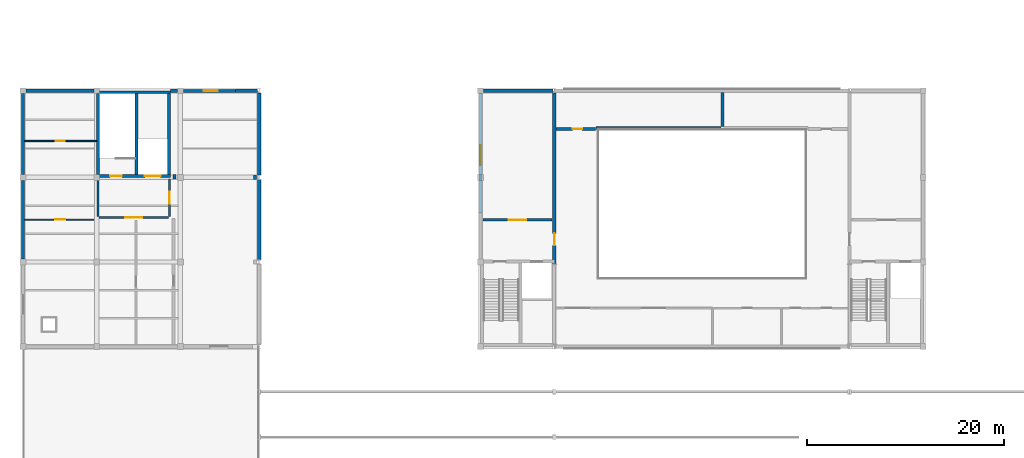
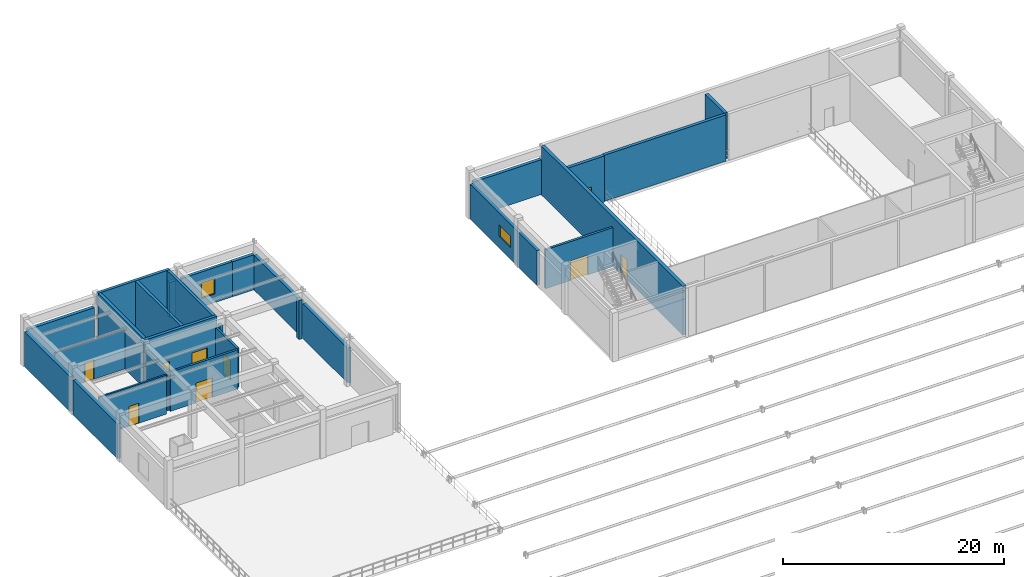
# One storey, part 33 of 38: 27 walls, 9 doors, 2 windows, 11 openings.
"""IFC4 building model written with IfcOpenShell, lengths in metres."""

from ifc_helpers import new_model, si_unit, direction, frame, frame_2d, origin, place, context, subcontext, project, spatial, rectangle, extrude, material, layer, layer_set, type_object, element, fill, save


model = new_model("IFC4")

# Units and contexts
model_context = context("Model", 3, precision=1e-05, world=origin(), true_north=direction((0.0, 1.0)))
body_context = subcontext(model_context, "Body", "Model", "MODEL_VIEW")
ifc_project = project(units=[si_unit("LENGTHUNIT", "METRE"), si_unit("AREAUNIT", "SQUARE_METRE"), si_unit("VOLUMEUNIT", "CUBIC_METRE"), si_unit("PLANEANGLEUNIT", "RADIAN"), si_unit("MASSUNIT", "GRAM", prefix="KILO")], contexts=[model_context])

# Site, building, storey
site_placement = place(None, origin())
site = spatial("IfcSite", under=ifc_project, at=site_placement, CompositionType="ELEMENT")
building_placement = place(site_placement, origin())
building = spatial("IfcBuilding", under=site, at=building_placement, Name="Muzn Square Opera House", CompositionType="ELEMENT")
storey_placement = place(building_placement, frame((0.0, 0.0, 18.0)))
storey = spatial("IfcBuildingStorey", under=building, at=storey_placement, Name="L04", CompositionType="ELEMENT", Elevation=18.0)

# Wall
ifc_material_1 = material(Name="Acoustic gypsum stud partition", Category="gypsum")
ifc_layer_1 = layer(ifc_material_1, 0.320068359375, Name="Acoustic gypsum stud partition", Category="gypsum")
ifc_layer_set_1 = layer_set([ifc_layer_1], Name="Acoustic gypsum stud partition")
wall_type_1 = type_object("IfcWallType", Name="Acoustic Studio Double Wall 320mm", PredefinedType="PARTITIONING", material=ifc_layer_set_1)
wall_1_placement = place(storey_placement, frame((90.10009765625, 94.945068359375, 0.0), z_axis=(0.0, 0.0, 1.0), x_axis=(0.0, 1.0, 0.0)))
element("IfcWall", 1, at=wall_1_placement, inside=storey, type_object=wall_type_1, Name="Interior Partition PW-L04-0391", PredefinedType="PARTITIONING", context=body_context, shape_type="SweptSolid", body=[
    extrude(rectangle(XDim=3.474853515625, YDim=0.320068359375, at=frame_2d((1.7373046875, 0.0))), origin(), (0.0, 0.0, 1.0), 5.10009765625),
])

# Wall, opening, door
wall_2_placement = place(storey_placement, frame((73.179931640625, 94.699951171875, 0.0), z_axis=(0.0, 0.0, 1.0), x_axis=(1.0, 0.0, 0.0)))
wall_2 = element("IfcWall", 2, at=wall_2_placement, inside=storey, type_object=wall_type_1, Name="Interior Partition PW-L04-0392", PredefinedType="PARTITIONING", context=body_context, shape_type="SweptSolid", body=[
    extrude(rectangle(XDim=4.02001953125, YDim=0.320068359375, at=frame_2d((2.010009765625, 0.0))), origin(), (0.0, 0.0, 1.0), 5.10009765625),
])
opening_1_placement = place(wall_2_placement, frame((1.679931640625, 0.0, 0.0)))
opening_1 = element("IfcOpeningElement", 3, at=opening_1_placement, cuts=wall_2, Name="Opening DR-TS98", PredefinedType="OPENING", context=body_context, shape_type="SweptSolid", body=[
    extrude(rectangle(XDim=0.97998046875, YDim=2.14990234375, at=frame_2d((0.489990234375, 1.074951171875))), frame((0.0, 0.169921875, 0.0), z_axis=(0.0, -1.0, 0.0), x_axis=(1.0, 0.0, 0.0)), (0.0, 0.0, 1.0), 0.340087890625),
])
ifc_material_2 = material(Name="Acoustic hardwood leaf", Category="wood")
door_type_1 = type_object("IfcDoorType", Name="Technical Studio Door 980x2150", OperationType="NOTDEFINED", PredefinedType="DOOR", material=ifc_material_2)
door_1_placement = place(opening_1_placement, origin())
door_1 = element("IfcDoor", 4, at=door_1_placement, inside=storey, type_object=door_type_1, Name="Sound and Broadcast Studio Door DR-L04-0114", OperationType="SINGLE_SWING_LEFT", OverallHeight=2.14990234375, OverallWidth=0.97998046875, PredefinedType="DOOR", context=body_context, shape_type="SweptSolid", body=[
    extrude(rectangle(XDim=0.97998046875, YDim=2.14990234375, at=frame_2d((0.489990234375, 1.074951171875))), frame((0.0, 0.02490234375, 0.0), z_axis=(0.0, -1.0, 0.0), x_axis=(1.0, 0.0, 0.0)), (0.0, 0.0, 1.0), 0.050048828125),
])
fill(opening_1, door_1)

# Walls
wall_3_placement = place(storey_placement, frame((34.39990234375, 89.64990234375, 0.0), z_axis=(0.0, 0.0, 1.0), x_axis=(0.0, 1.0, 0.0)))
element("IfcWall", 5, at=wall_3_placement, inside=storey, type_object=wall_type_1, Name="Room Enclosure Partition PW-L04-0409", PredefinedType="PARTITIONING", context=body_context, shape_type="SweptSolid", body=[
    extrude(rectangle(XDim=0.4501953125, YDim=0.320068359375, at=frame_2d((0.22509765625, 0.0))), origin(), (0.0, 0.0, 1.0), 4.330078125),
])
wall_4_placement = place(storey_placement, frame((42.60009765625, 89.574951171875, 0.0), z_axis=(0.0, 0.0, 1.0), x_axis=(0.0, 1.0, 0.0)))
element("IfcWall", 6, at=wall_4_placement, inside=storey, type_object=wall_type_1, Name="Room Enclosure Partition PW-L04-0411", PredefinedType="PARTITIONING", context=body_context, shape_type="SweptSolid", body=[
    extrude(rectangle(XDim=0.449951171875, YDim=0.320068359375, at=frame_2d((0.22509765625, 0.0))), origin(), (0.0, 0.0, 1.0), 4.330078125),
])
wall_5_placement = place(storey_placement, frame((77.219970703125, 94.800048828125, 0.0), z_axis=(0.0, 0.0, 1.0), x_axis=(1.0, 0.0, 0.0)))
element("IfcWall", 7, at=wall_5_placement, inside=storey, type_object=wall_type_1, Name="Room Enclosure Partition PW-L04-0405", PredefinedType="PARTITIONING", context=body_context, shape_type="SweptSolid", body=[
    extrude(rectangle(XDim=12.735107421875, YDim=0.320068359375, at=frame_2d((6.36767578125, 0.0))), origin(), (0.0, 0.0, 1.0), 5.10009765625),
])
ifc_material_3 = material(Name="Concrete C45/55", Category="concrete")
ifc_layer_2 = layer(ifc_material_3, 0.300048828125, Name="Concrete C45/55", Category="concrete")
ifc_layer_set_2 = layer_set([ifc_layer_2], Name="Concrete C45/55")
wall_type_2 = type_object("IfcWallType", Name="Core Shear Wall 300mm", PredefinedType="SHEAR", material=ifc_layer_set_2)
wall_6_placement = place(storey_placement, frame((26.5, 98.449951171875, 0.0), z_axis=(0.0, 0.0, 1.0), x_axis=(1.0, 0.0, 0.0)))
element("IfcWall", 8, at=wall_6_placement, inside=storey, type_object=wall_type_2, Name="Core C6 Shear Wall SW-C6-L04-N", PredefinedType="SHEAR", context=body_context, shape_type="SweptSolid", body=[
    extrude(rectangle(XDim=7.5, YDim=0.300048828125, at=frame_2d((3.75, 0.0))), origin(), (0.0, 0.0, 1.0), 5.39990234375),
])
for number, where, z_axis, x_axis, name in (
    (9, (26.64990234375, 90.10009765625, 0.0), (0.0, 0.0, 1.0), (0.0, 1.0, 0.0), "Core C6 Shear Wall SW-C6-L04-W"),
    (10, (33.85009765625, 90.10009765625, 0.0), (0.0, 0.0, 1.0), (0.0, 1.0, 0.0), "Core C6 Shear Wall SW-C6-L04-E"),
    (11, (30.550048828125, 90.10009765625, 0.0), (0.0, 0.0, 1.0), (0.0, 1.0, 0.0), "Core C6 Shear Wall SW-C6-L04-DIV"),
):
    element("IfcWall", number, at=place(storey_placement, frame(where, z_axis=z_axis, x_axis=x_axis)), inside=storey, type_object=wall_type_2, Name=name, PredefinedType="SHEAR", context=body_context, shape_type="SweptSolid", body=[
        extrude(rectangle(XDim=8.199951171875, YDim=0.300048828125, at=frame_2d((4.10009765625, 0.0))), origin(), (0.0, 0.0, 1.0), 5.39990234375),
    ])

# Wall, openings, doors
wall_7_placement = place(storey_placement, frame((26.5, 89.949951171875, 0.0), z_axis=(0.0, 0.0, 1.0), x_axis=(1.0, 0.0, 0.0)))
wall_7 = element("IfcWall", 12, at=wall_7_placement, inside=storey, type_object=wall_type_2, Name="Core C6 Front Shear Wall L04", PredefinedType="SHEAR", context=body_context, shape_type="SweptSolid", body=[
    extrude(rectangle(XDim=7.5, YDim=0.300048828125, at=frame_2d((3.75, 0.0))), origin(), (0.0, 0.0, 1.0), 5.39990234375),
])
opening_2_placement = place(wall_7_placement, frame((2.550048828125, 0.0, 0.0), z_axis=(0.0, 0.0, 1.0), x_axis=(-1.0, 0.0, 0.0)))
opening_2 = element("IfcOpeningElement", 13, at=opening_2_placement, cuts=wall_7, Name="Opening DR-ST12", PredefinedType="OPENING", context=body_context, shape_type="SweptSolid", body=[
    extrude(rectangle(XDim=1.199951171875, YDim=2.14990234375, at=frame_2d((0.60009765625, 1.074951171875))), frame((0.0, 0.159912109375, 0.0), z_axis=(0.0, -1.0, 0.0), x_axis=(1.0, 0.0, 0.0)), (0.0, 0.0, 1.0), 0.320068359375),
])
opening_3_placement = place(wall_7_placement, frame((4.89990234375, 0.0, 0.0)))
opening_3 = element("IfcOpeningElement", 14, at=opening_3_placement, cuts=wall_7, Name="Opening LD-02", PredefinedType="OPENING", context=body_context, shape_type="SweptSolid", body=[
    extrude(rectangle(XDim=1.60009765625, YDim=2.25, at=frame_2d((0.800048828125, 1.125))), frame((0.0, 0.159912109375, 0.0), z_axis=(0.0, -1.0, 0.0), x_axis=(1.0, 0.0, 0.0)), (0.0, 0.0, 1.0), 0.320068359375),
])
ifc_material_4 = material(Name="Galvanised painted steel leaf", Category="metal")
door_type_2 = type_object("IfcDoorType", Name="Core Stair Fire Door 1200x2150", OperationType="NOTDEFINED", PredefinedType="DOOR", material=ifc_material_4)
door_2_placement = place(opening_2_placement, origin())
door_2 = element("IfcDoor", 15, at=door_2_placement, inside=storey, type_object=door_type_2, Name="Core C6 Stair Door L04", OperationType="SINGLE_SWING_RIGHT", OverallHeight=2.14990234375, OverallWidth=1.199951171875, PredefinedType="DOOR", context=body_context, shape_type="SweptSolid", body=[
    extrude(rectangle(XDim=1.199951171875, YDim=2.14990234375, at=frame_2d((0.60009765625, 1.074951171875))), frame((0.0, 0.02490234375, 0.0), z_axis=(0.0, -1.0, 0.0), x_axis=(1.0, 0.0, 0.0)), (0.0, 0.0, 1.0), 0.050048828125),
])
fill(opening_2, door_2)
ifc_material_5 = material(Name="Brushed stainless steel", Category="metal")
door_type_3 = type_object("IfcDoorType", Name="Goods Lift Sliding Door 1600x2250", OperationType="SLIDING_TO_LEFT", PredefinedType="DOOR", material=ifc_material_5)
door_3_placement = place(opening_3_placement, origin())
door_3 = element("IfcDoor", 16, at=door_3_placement, inside=storey, type_object=door_type_3, Name="Lift GL-1 Sliding Landing Door L04", OperationType="SLIDING_TO_LEFT", OverallHeight=2.25, OverallWidth=1.60009765625, PredefinedType="DOOR", context=body_context, shape_type="SweptSolid", body=[
    extrude(rectangle(XDim=1.60009765625, YDim=2.25, at=frame_2d((0.800048828125, 1.125))), frame((0.0, 0.02490234375, 0.0), z_axis=(0.0, -1.0, 0.0), x_axis=(1.0, 0.0, 0.0)), (0.0, 0.0, 1.0), 0.050048828125),
])
fill(opening_3, door_3)

# Wall, opening, door
ifc_layer_3 = layer(ifc_material_1, 0.179931640625, Name="Acoustic gypsum stud partition", Category="gypsum")
ifc_layer_set_3 = layer_set([ifc_layer_3], Name="Acoustic gypsum stud partition")
wall_type_3 = type_object("IfcWallType", Name="Dressing Suite Partition 180mm", PredefinedType="PARTITIONING", material=ifc_layer_set_3)
wall_8_placement = place(storey_placement, frame((19.175048828125, 85.5, 0.0), z_axis=(0.0, 0.0, 1.0), x_axis=(1.0, 0.0, 0.0)))
wall_8 = element("IfcWall", 17, at=wall_8_placement, inside=storey, type_object=wall_type_3, Name="Interior Partition PW-L04-0401", PredefinedType="PARTITIONING", context=body_context, shape_type="SweptSolid", body=[
    extrude(rectangle(XDim=7.02490234375, YDim=0.179931640625, at=frame_2d((3.512451171875, 0.0))), origin(), (0.0, 0.0, 1.0), 4.300048828125),
])
opening_4_placement = place(wall_8_placement, frame((3.114990234375, 0.0, 0.0)))
opening_4 = element("IfcOpeningElement", 18, at=opening_4_placement, cuts=wall_8, Name="Opening DR-MS10", PredefinedType="OPENING", context=body_context, shape_type="SweptSolid", body=[
    extrude(rectangle(XDim=1.02001953125, YDim=2.199951171875, at=frame_2d((0.510009765625, 1.10009765625))), frame((0.0, 0.099853515625, 0.0), z_axis=(0.0, -1.0, 0.0), x_axis=(1.0, 0.0, 0.0)), (0.0, 0.0, 1.0), 0.199951171875),
])
door_type_4 = type_object("IfcDoorType", Name="Maestro Suite Door 1020x2200", OperationType="NOTDEFINED", PredefinedType="DOOR", material=ifc_material_2)
door_4_placement = place(opening_4_placement, origin())
door_4 = element("IfcDoor", 19, at=door_4_placement, inside=storey, type_object=door_type_4, Name="Visiting Maestro Suite Door DR-L04-0122", OperationType="SINGLE_SWING_LEFT", OverallHeight=2.199951171875, OverallWidth=1.02001953125, PredefinedType="DOOR", context=body_context, shape_type="SweptSolid", body=[
    extrude(rectangle(XDim=1.02001953125, YDim=2.199951171875, at=frame_2d((0.510009765625, 1.10009765625))), frame((0.0, 0.02490234375, 0.0), z_axis=(0.0, -1.0, 0.0), x_axis=(1.0, 0.0, 0.0)), (0.0, 0.0, 1.0), 0.050048828125),
])
fill(opening_4, door_4)

ifc_layer_4 = layer(ifc_material_1, 0.1201171875, Name="Acoustic gypsum stud partition", Category="gypsum")
ifc_layer_set_4 = layer_set([ifc_layer_4], Name="Acoustic gypsum stud partition")
wall_type_4 = type_object("IfcWallType", Name="En-Suite Partition 120mm", PredefinedType="PARTITIONING", material=ifc_layer_set_4)
wall_9_placement = place(storey_placement, frame((19.175048828125, 93.5, 0.0), z_axis=(0.0, 0.0, 1.0), x_axis=(1.0, 0.0, 0.0)))
wall_9 = element("IfcWall", 20, at=wall_9_placement, inside=storey, type_object=wall_type_4, Name="Interior Partition PW-L04-0403", PredefinedType="PARTITIONING", context=body_context, shape_type="SweptSolid", body=[
    extrude(rectangle(XDim=7.320068359375, YDim=0.1201171875, at=frame_2d((3.66015625, 0.0))), origin(), (0.0, 0.0, 1.0), 4.300048828125),
])
opening_5_placement = place(wall_9_placement, frame((3.175048828125, 0.0, 0.0)))
opening_5 = element("IfcOpeningElement", 21, at=opening_5_placement, cuts=wall_9, Name="Opening DR-EN90", PredefinedType="OPENING", context=body_context, shape_type="SweptSolid", body=[
    extrude(rectangle(XDim=0.89990234375, YDim=2.14990234375, at=frame_2d((0.449951171875, 1.074951171875))), frame((0.0, 0.070068359375, 0.0), z_axis=(0.0, -1.0, 0.0), x_axis=(1.0, 0.0, 0.0)), (0.0, 0.0, 1.0), 0.14013671875),
])
door_type_5 = type_object("IfcDoorType", Name="En-Suite Bathroom Door 900x2150", OperationType="NOTDEFINED", PredefinedType="DOOR", material=ifc_material_2)
door_5_placement = place(opening_5_placement, origin())
door_5 = element("IfcDoor", 22, at=door_5_placement, inside=storey, type_object=door_type_5, Name="Maestro En-Suite Bathroom Door DR-L04-0124", OperationType="SINGLE_SWING_LEFT", OverallHeight=2.14990234375, OverallWidth=0.89990234375, PredefinedType="DOOR", context=body_context, shape_type="SweptSolid", body=[
    extrude(rectangle(XDim=0.89990234375, YDim=2.14990234375, at=frame_2d((0.449951171875, 1.074951171875))), frame((0.0, 0.02490234375, 0.0), z_axis=(0.0, -1.0, 0.0), x_axis=(1.0, 0.0, 0.0)), (0.0, 0.0, 1.0), 0.050048828125),
])
fill(opening_5, door_5)

# Wall, opening, window
ifc_material_6 = material(Name="Concrete C40/50", Category="concrete")
ifc_layer_5 = layer(ifc_material_6, 0.31005859375, Name="Concrete C40/50", Category="concrete")
ifc_layer_set_5 = layer_set([ifc_layer_5], Name="Concrete C40/50")
wall_type_5 = type_object("IfcWallType", Name="Exterior Gallery Facade Wall 310mm", PredefinedType="SOLIDWALL", material=ifc_layer_set_5)
wall_10_placement = place(storey_placement, frame((35.300048828125, 98.60009765625, 0.0), z_axis=(0.0, 0.0, 1.0), x_axis=(1.0, 0.0, 0.0)))
wall_10 = element("IfcWall", 23, at=wall_10_placement, inside=storey, type_object=wall_type_5, Name="Exterior Facade Wall EW-L04-098", PredefinedType="SOLIDWALL", context=body_context, shape_type="SweptSolid", body=[
    extrude(rectangle(XDim=5.300048828125, YDim=0.31005859375, at=frame_2d((2.64990234375, 0.0))), origin(), (0.0, 0.0, 1.0), 3.85009765625),
])
opening_6_placement = place(wall_10_placement, frame((2.080078125, 0.0, 0.949951171875)))
opening_6 = element("IfcOpeningElement", 24, at=opening_6_placement, cuts=wall_10, Name="Opening WN-M1417", PredefinedType="OPENING", context=body_context, shape_type="SweptSolid", body=[
    extrude(rectangle(XDim=1.39990234375, YDim=1.699951171875, at=frame_2d((0.699951171875, 0.85009765625))), frame((0.0, 0.1650390625, 0.0), z_axis=(0.0, -1.0, 0.0), x_axis=(1.0, 0.0, 0.0)), (0.0, 0.0, 1.0), 0.330078125),
])
ifc_material_7 = material(Name="Low-E laminated acoustic double glazing", Category="glass")
window_type_1 = type_object("IfcWindowType", Name="Partitura Studio Window 1400x1700", PartitioningType="SINGLE_PANEL", PredefinedType="WINDOW", material=ifc_material_7)
window_1_placement = place(opening_6_placement, origin())
window_1 = element("IfcWindow", 25, at=window_1_placement, inside=storey, type_object=window_type_1, Name="Partitura Studio Window 1400x1700 EW-L04-098-WN01", OverallHeight=1.699951171875, OverallWidth=1.39990234375, PartitioningType="SINGLE_PANEL", PredefinedType="WINDOW", context=body_context, shape_type="SweptSolid", body=[
    extrude(rectangle(XDim=1.39990234375, YDim=1.699951171875, at=frame_2d((0.699951171875, 0.85009765625))), frame((0.0, 0.030029296875, 0.0), z_axis=(0.0, -1.0, 0.0), x_axis=(1.0, 0.0, 0.0)), (0.0, 0.0, 1.0), 0.06005859375),
])
fill(opening_6, window_1)

wall_11_placement = place(storey_placement, frame((65.5, 86.199951171875, 0.0), z_axis=(0.0, 0.0, 1.0), x_axis=(0.0, 1.0, 0.0)))
wall_11 = element("IfcWall", 26, at=wall_11_placement, inside=storey, type_object=wall_type_5, Name="Exterior Facade Wall EW-L04-099", PredefinedType="SOLIDWALL", context=body_context, shape_type="SweptSolid", body=[
    extrude(rectangle(XDim=12.10009765625, YDim=0.31005859375, at=frame_2d((6.050048828125, 0.0))), origin(), (0.0, 0.0, 1.0), 3.85009765625),
])
opening_7_placement = place(wall_11_placement, frame((4.85009765625, 0.0, 1.25)))
opening_7 = element("IfcOpeningElement", 27, at=opening_7_placement, cuts=wall_11, Name="Opening WN-T2013", PredefinedType="OPENING", context=body_context, shape_type="SweptSolid", body=[
    extrude(rectangle(XDim=2.0, YDim=1.300048828125, at=frame_2d((1.0, 0.64990234375))), frame((0.0, 0.1650390625, 0.0), z_axis=(0.0, -1.0, 0.0), x_axis=(1.0, 0.0, 0.0)), (0.0, 0.0, 1.0), 0.330078125),
])
window_type_2 = type_object("IfcWindowType", Name="Fly Gallery Clerestory Window 2000x1300", PartitioningType="DOUBLE_PANEL_HORIZONTAL", PredefinedType="WINDOW", material=ifc_material_7)
window_2_placement = place(opening_7_placement, origin())
window_2 = element("IfcWindow", 28, at=window_2_placement, inside=storey, type_object=window_type_2, Name="Fly Gallery Clerestory Window 2000x1300 EW-L04-099-WN01", OverallHeight=1.300048828125, OverallWidth=2.0, PartitioningType="SINGLE_PANEL", PredefinedType="WINDOW", context=body_context, shape_type="SweptSolid", body=[
    extrude(rectangle(XDim=2.0, YDim=1.300048828125, at=frame_2d((1.0, 0.64990234375))), frame((0.0, 0.030029296875, 0.0), z_axis=(0.0, -1.0, 0.0), x_axis=(1.0, 0.0, 0.0)), (0.0, 0.0, 1.0), 0.06005859375),
])
fill(opening_7, window_2)

# Walls
ifc_layer_6 = layer(ifc_material_6, 0.340087890625, Name="Concrete C40/50", Category="concrete")
ifc_layer_set_6 = layer_set([ifc_layer_6], Name="Concrete C40/50")
wall_type_6 = type_object("IfcWallType", Name="Exterior Insulated Spandrel Wall 340mm", PredefinedType="SOLIDWALL", material=ifc_layer_set_6)
wall_12_placement = place(storey_placement, frame((19.300048828125, 98.60009765625, 0.0), z_axis=(0.0, 0.0, 1.0), x_axis=(1.0, 0.0, 0.0)))
element("IfcWall", 29, at=wall_12_placement, inside=storey, type_object=wall_type_6, Name="Exterior Facade Wall EW-L04-252", PredefinedType="SOLIDWALL", context=body_context, shape_type="SweptSolid", body=[
    extrude(rectangle(XDim=6.89990234375, YDim=0.340087890625, at=frame_2d((3.449951171875, 0.0))), origin(), (0.0, 0.0, 1.0), 3.85009765625),
])
wall_13_placement = place(storey_placement, frame((43.0, 81.425048828125, 0.0), z_axis=(0.0, 0.0, 1.0), x_axis=(0.0, 1.0, 0.0)))
element("IfcWall", 30, at=wall_13_placement, inside=storey, type_object=wall_type_6, Name="Exterior Facade Wall EW-L04-256", PredefinedType="SOLIDWALL", context=body_context, shape_type="SweptSolid", body=[
    extrude(rectangle(XDim=8.14990234375, YDim=0.340087890625, at=frame_2d((4.074951171875, 0.0))), origin(), (0.0, 0.0, 1.0), 3.85009765625),
])
wall_14_placement = place(storey_placement, frame((43.0, 90.02490234375, 0.0), z_axis=(0.0, 0.0, 1.0), x_axis=(0.0, 1.0, 0.0)))
element("IfcWall", 31, at=wall_14_placement, inside=storey, type_object=wall_type_6, Name="Exterior Facade Wall EW-L04-257", PredefinedType="SOLIDWALL", context=body_context, shape_type="SweptSolid", body=[
    extrude(rectangle(XDim=8.35009765625, YDim=0.340087890625, at=frame_2d((4.175048828125, 0.0))), origin(), (0.0, 0.0, 1.0), 3.85009765625),
])
wall_15_placement = place(storey_placement, frame((19.0, 81.5, 0.0), z_axis=(0.0, 0.0, 1.0), x_axis=(0.0, 1.0, 0.0)))
element("IfcWall", 32, at=wall_15_placement, inside=storey, type_object=wall_type_6, Name="Exterior Facade Wall EW-L04-261", PredefinedType="SOLIDWALL", context=body_context, shape_type="SweptSolid", body=[
    extrude(rectangle(XDim=8.0, YDim=0.340087890625, at=frame_2d((4.0, 0.0))), origin(), (0.0, 0.0, 1.0), 3.85009765625),
])
wall_16_placement = place(storey_placement, frame((19.0, 90.10009765625, 0.0), z_axis=(0.0, 0.0, 1.0), x_axis=(0.0, 1.0, 0.0)))
element("IfcWall", 33, at=wall_16_placement, inside=storey, type_object=wall_type_6, Name="Exterior Facade Wall EW-L04-262", PredefinedType="SOLIDWALL", context=body_context, shape_type="SweptSolid", body=[
    extrude(rectangle(XDim=8.199951171875, YDim=0.340087890625, at=frame_2d((4.10009765625, 0.0))), origin(), (0.0, 0.0, 1.0), 3.85009765625),
])
wall_17_placement = place(storey_placement, frame((65.800048828125, 98.60009765625, 0.0), z_axis=(0.0, 0.0, 1.0), x_axis=(1.0, 0.0, 0.0)))
element("IfcWall", 34, at=wall_17_placement, inside=storey, type_object=wall_type_6, Name="Exterior Facade Wall EW-L04-266", PredefinedType="SOLIDWALL", context=body_context, shape_type="SweptSolid", body=[
    extrude(rectangle(XDim=7.050048828125, YDim=0.340087890625, at=frame_2d((3.52490234375, 0.0))), origin(), (0.0, 0.0, 1.0), 3.85009765625),
])
wall_18_placement = place(storey_placement, frame((40.6201171875, 98.60009765625, 0.0), z_axis=(0.0, 0.0, 1.0), x_axis=(1.0, 0.0, 0.0)))
element("IfcWall", 35, at=wall_18_placement, inside=storey, type_object=wall_type_6, Name="Exterior Facade Wall EW-L04-254", PredefinedType="SOLIDWALL", context=body_context, shape_type="SweptSolid", body=[
    extrude(rectangle(XDim=2.22998046875, YDim=0.340087890625, at=frame_2d((1.114990234375, 0.0))), origin(), (0.0, 0.0, 1.0), 3.85009765625),
])
wall_19_placement = place(storey_placement, frame((34.02001953125, 98.60009765625, 0.0), z_axis=(0.0, 0.0, 1.0), x_axis=(1.0, 0.0, 0.0)))
element("IfcWall", 36, at=wall_19_placement, inside=storey, type_object=wall_type_6, Name="Exterior Facade Wall EW-L04-253", PredefinedType="SOLIDWALL", context=body_context, shape_type="SweptSolid", body=[
    extrude(rectangle(XDim=0.679931640625, YDim=0.340087890625, at=frame_2d((0.33984375, 0.0))), origin(), (0.0, 0.0, 1.0), 3.85009765625),
])

# Wall, opening, door
ifc_layer_7 = layer(ifc_material_6, 0.239990234375, Name="Concrete C40/50", Category="concrete")
ifc_layer_set_7 = layer_set([ifc_layer_7], Name="Concrete C40/50")
wall_type_7 = type_object("IfcWallType", Name="Firefighting Lobby Wall 240mm", PredefinedType="SOLIDWALL", material=ifc_layer_set_7)
wall_20_placement = place(storey_placement, frame((65.739990234375, 85.47998046875, 0.0), z_axis=(0.0, 0.0, 1.0), x_axis=(1.0, 0.0, 0.0)))
wall_20 = element("IfcWall", 37, at=wall_20_placement, inside=storey, type_object=wall_type_7, Name="Lobby C1 Enclosure Wall L04", PredefinedType="SOLIDWALL", context=body_context, shape_type="SweptSolid", body=[
    extrude(rectangle(XDim=7.02001953125, YDim=0.239990234375, at=frame_2d((3.510009765625, 0.0))), origin(), (0.0, 0.0, 1.0), 4.300048828125),
])
opening_8_placement = place(wall_20_placement, frame((2.610107421875, 0.0, 0.0)))
opening_8 = element("IfcOpeningElement", 38, at=opening_8_placement, cuts=wall_20, Name="Opening DR-FL18", PredefinedType="OPENING", context=body_context, shape_type="SweptSolid", body=[
    extrude(rectangle(XDim=1.800048828125, YDim=2.179931640625, at=frame_2d((0.89990234375, 1.08984375))), frame((0.0, 0.1298828125, 0.0), z_axis=(0.0, -1.0, 0.0), x_axis=(1.0, 0.0, 0.0)), (0.0, 0.0, 1.0), 0.260009765625),
])
door_type_6 = type_object("IfcDoorType", Name="Firefighting Lobby Double Door 1800x2180", OperationType="DOUBLE_DOOR_SINGLE_SWING", PredefinedType="DOOR", material=ifc_material_4)
door_6_placement = place(opening_8_placement, origin())
door_6 = element("IfcDoor", 39, at=door_6_placement, inside=storey, type_object=door_type_6, Name="Lobby C1 Fire Door L04", OperationType="DOUBLE_DOOR_SINGLE_SWING", OverallHeight=2.179931640625, OverallWidth=1.800048828125, PredefinedType="DOOR", context=body_context, shape_type="SweptSolid", body=[
    extrude(rectangle(XDim=1.800048828125, YDim=2.179931640625, at=frame_2d((0.89990234375, 1.08984375))), frame((0.0, 0.02490234375, 0.0), z_axis=(0.0, -1.0, 0.0), x_axis=(1.0, 0.0, 0.0)), (0.0, 0.0, 1.0), 0.050048828125),
])
fill(opening_8, door_6)

ifc_layer_8 = layer(ifc_material_3, 0.35009765625, Name="Concrete C45/55", Category="concrete")
ifc_layer_set_8 = layer_set([ifc_layer_8], Name="Concrete C45/55")
wall_type_8 = type_object("IfcWallType", Name="Fly Tower Shear Wall 350mm", PredefinedType="SHEAR", material=ifc_layer_set_8)
wall_21_placement = place(storey_placement, frame((73.0, 72.81494140625, 0.0), z_axis=(0.0, 0.0, 1.0), x_axis=(0.0, 1.0, 0.0)))
wall_21 = element("IfcWall", 40, at=wall_21_placement, inside=storey, type_object=wall_type_8, Name="Fly Tower Shear Wall FTW-L04-W", PredefinedType="SHEAR", context=body_context, shape_type="SweptSolid", body=[
    extrude(rectangle(XDim=25.570068359375, YDim=0.35009765625, at=frame_2d((12.78515625, 0.0))), origin(), (0.0, 0.0, 1.0), 5.39990234375),
])
opening_9_placement = place(wall_21_placement, frame((11.284912109375, 0.0, 0.0), z_axis=(0.0, 0.0, 1.0), x_axis=(-1.0, 0.0, 0.0)))
opening_9 = element("IfcOpeningElement", 41, at=opening_9_placement, cuts=wall_21, Name="Opening DR-ST12", PredefinedType="OPENING", context=body_context, shape_type="SweptSolid", body=[
    extrude(rectangle(XDim=1.199951171875, YDim=2.14990234375, at=frame_2d((0.60009765625, 1.074951171875))), frame((0.0, 0.18505859375, 0.0), z_axis=(0.0, -1.0, 0.0), x_axis=(1.0, 0.0, 0.0)), (0.0, 0.0, 1.0), 0.3701171875),
])
door_7_placement = place(opening_9_placement, origin())
door_7 = element("IfcDoor", 42, at=door_7_placement, inside=storey, type_object=door_type_2, Name="Lobby C1 Side Door E L04", OperationType="SINGLE_SWING_LEFT", OverallHeight=2.14990234375, OverallWidth=1.199951171875, PredefinedType="DOOR", context=body_context, shape_type="SweptSolid", body=[
    extrude(rectangle(XDim=1.199951171875, YDim=2.14990234375, at=frame_2d((0.60009765625, 1.074951171875))), frame((0.0, 0.02490234375, 0.0), z_axis=(0.0, -1.0, 0.0), x_axis=(1.0, 0.0, 0.0)), (0.0, 0.0, 1.0), 0.050048828125),
])
fill(opening_9, door_7)

ifc_layer_9 = layer(ifc_material_6, 0.219970703125, Name="Concrete C40/50", Category="concrete")
ifc_layer_set_9 = layer_set([ifc_layer_9], Name="Concrete C40/50")
wall_type_9 = type_object("IfcWallType", Name="Lift Lobby Wall 220mm", PredefinedType="SOLIDWALL", material=ifc_layer_set_9)
wall_22_placement = place(storey_placement, frame((26.719970703125, 85.7099609375, 0.0), z_axis=(0.0, 0.0, 1.0), x_axis=(1.0, 0.0, 0.0)))
wall_22 = element("IfcWall", 43, at=wall_22_placement, inside=storey, type_object=wall_type_9, Name="Lobby C6 Enclosure Wall L04", PredefinedType="SOLIDWALL", context=body_context, shape_type="SweptSolid", body=[
    extrude(rectangle(XDim=7.06005859375, YDim=0.219970703125, at=frame_2d((3.530029296875, 0.0))), origin(), (0.0, 0.0, 1.0), 4.330078125),
])
opening_10_placement = place(wall_22_placement, frame((4.3798828125, 0.0, 0.0), z_axis=(0.0, 0.0, 1.0), x_axis=(-1.0, 0.0, 0.0)))
opening_10 = element("IfcOpeningElement", 44, at=opening_10_placement, cuts=wall_22, Name="Opening DR-LL17", PredefinedType="OPENING", context=body_context, shape_type="SweptSolid", body=[
    extrude(rectangle(XDim=1.699951171875, YDim=2.179931640625, at=frame_2d((0.85009765625, 1.08984375))), frame((0.0, 0.119873046875, 0.0), z_axis=(0.0, -1.0, 0.0), x_axis=(1.0, 0.0, 0.0)), (0.0, 0.0, 1.0), 0.239990234375),
])
door_type_7 = type_object("IfcDoorType", Name="Lift Lobby Double Door 1700x2180", OperationType="DOUBLE_DOOR_SINGLE_SWING", PredefinedType="DOOR", material=ifc_material_2)
door_8_placement = place(opening_10_placement, origin())
door_8 = element("IfcDoor", 45, at=door_8_placement, inside=storey, type_object=door_type_7, Name="Lobby C6 Fire Door L04", OperationType="DOUBLE_DOOR_SINGLE_SWING", OverallHeight=2.179931640625, OverallWidth=1.699951171875, PredefinedType="DOOR", context=body_context, shape_type="SweptSolid", body=[
    extrude(rectangle(XDim=1.699951171875, YDim=2.179931640625, at=frame_2d((0.85009765625, 1.08984375))), frame((0.0, 0.02490234375, 0.0), z_axis=(0.0, -1.0, 0.0), x_axis=(1.0, 0.0, 0.0)), (0.0, 0.0, 1.0), 0.050048828125),
])
fill(opening_10, door_8)

# Wall
wall_23_placement = place(storey_placement, frame((26.610107421875, 85.820068359375, 0.0), z_axis=(0.0, 0.0, 1.0), x_axis=(0.0, 1.0, 0.0)))
element("IfcWall", 46, at=wall_23_placement, inside=storey, type_object=wall_type_9, Name="Lobby C6 Side Wall W L04", PredefinedType="SOLIDWALL", context=body_context, shape_type="SweptSolid", body=[
    extrude(rectangle(XDim=3.829833984375, YDim=0.219970703125, at=frame_2d((1.9150390625, 0.0))), origin(), (0.0, 0.0, 1.0), 4.330078125),
])

# Wall, opening, door
wall_24_placement = place(storey_placement, frame((33.889892578125, 85.820068359375, 0.0), z_axis=(0.0, 0.0, 1.0), x_axis=(0.0, 1.0, 0.0)))
wall_24 = element("IfcWall", 47, at=wall_24_placement, inside=storey, type_object=wall_type_9, Name="Lobby C6 Side Wall E L04", PredefinedType="SOLIDWALL", context=body_context, shape_type="SweptSolid", body=[
    extrude(rectangle(XDim=3.829833984375, YDim=0.219970703125, at=frame_2d((1.9150390625, 0.0))), origin(), (0.0, 0.0, 1.0), 4.330078125),
])
opening_11_placement = place(wall_24_placement, frame((2.514892578125, 0.0, 0.0), z_axis=(0.0, 0.0, 1.0), x_axis=(-1.0, 0.0, 0.0)))
opening_11 = element("IfcOpeningElement", 48, at=opening_11_placement, cuts=wall_24, Name="Opening DR-ST12", PredefinedType="OPENING", context=body_context, shape_type="SweptSolid", body=[
    extrude(rectangle(XDim=1.199951171875, YDim=2.14990234375, at=frame_2d((0.60009765625, 1.074951171875))), frame((0.0, 0.119873046875, 0.0), z_axis=(0.0, -1.0, 0.0), x_axis=(1.0, 0.0, 0.0)), (0.0, 0.0, 1.0), 0.239990234375),
])
door_9_placement = place(opening_11_placement, origin())
door_9 = element("IfcDoor", 49, at=door_9_placement, inside=storey, type_object=door_type_2, Name="Lobby C6 Side Door E L04", OperationType="SINGLE_SWING_LEFT", OverallHeight=2.14990234375, OverallWidth=1.199951171875, PredefinedType="DOOR", context=body_context, shape_type="SweptSolid", body=[
    extrude(rectangle(XDim=1.199951171875, YDim=2.14990234375, at=frame_2d((0.60009765625, 1.074951171875))), frame((0.0, 0.02490234375, 0.0), z_axis=(0.0, -1.0, 0.0), x_axis=(1.0, 0.0, 0.0)), (0.0, 0.0, 1.0), 0.050048828125),
])
fill(opening_11, door_9)

save(model, "model.ifc")
